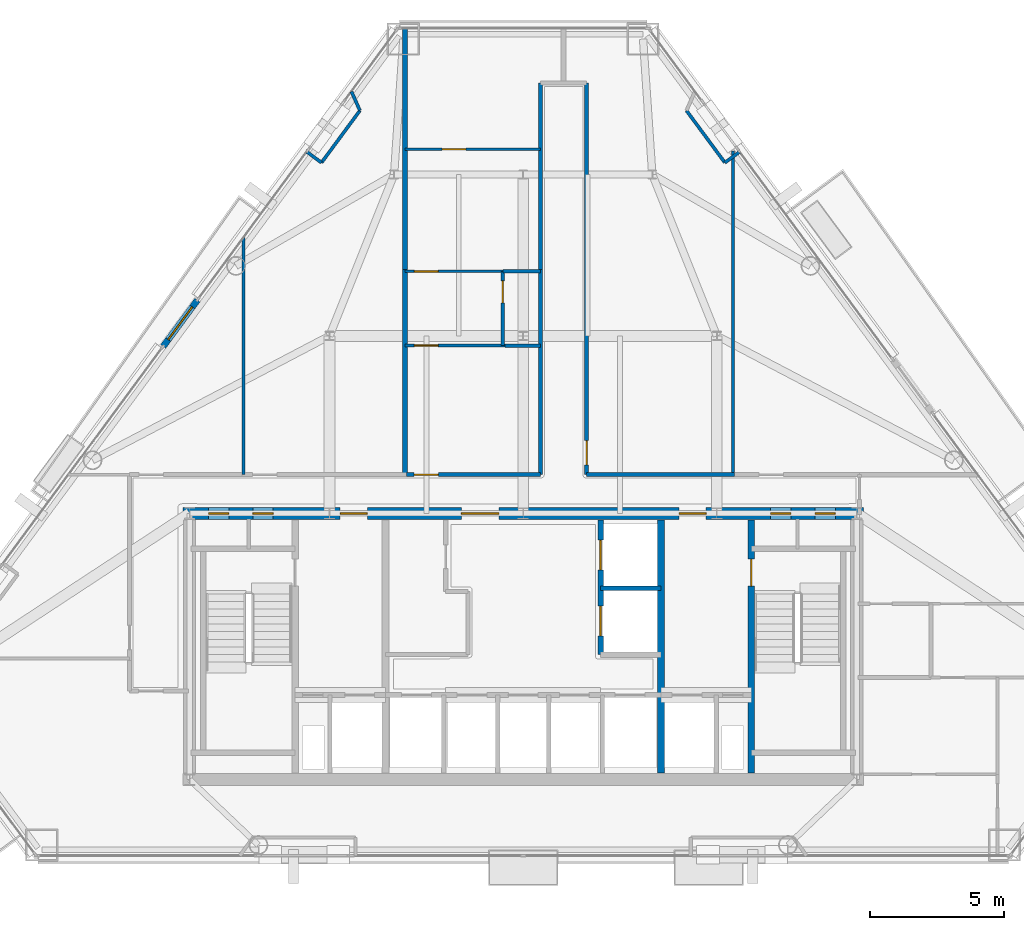
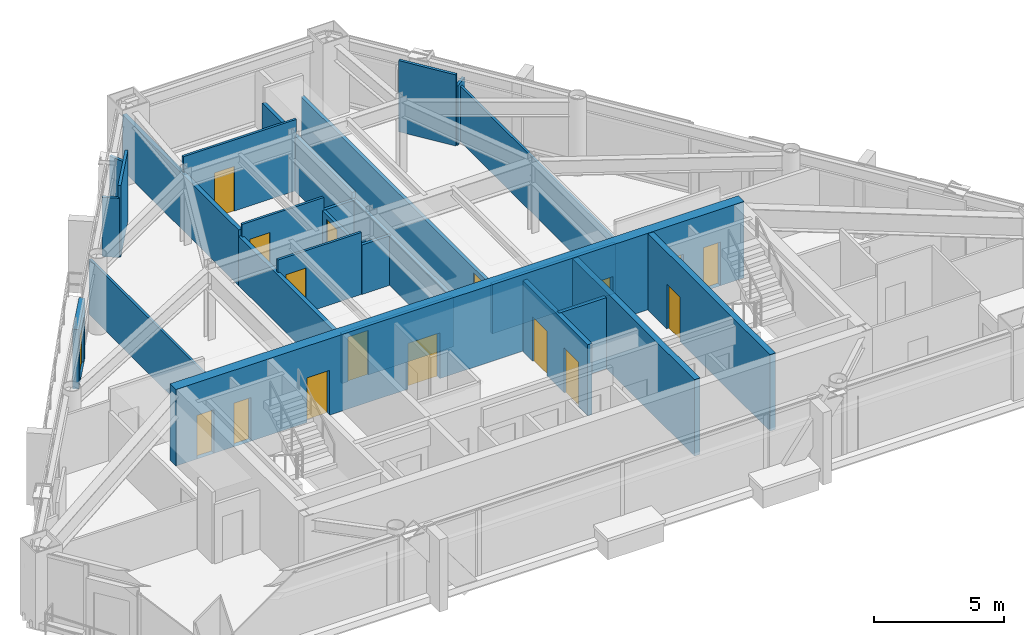
# One storey, part 8 of 11: 26 walls, 17 doors, 17 openings.
"""IFC4 building model written with IfcOpenShell, lengths in metres."""

from ifc_helpers import new_model, si_unit, direction, frame, frame_2d, origin, place, context, subcontext, project, spatial, rectangle, extrude, material, layer, layer_set, type_object, element, fill, save


model = new_model("IFC4")

# Units and contexts
model_context = context("Model", 3, precision=1e-05, world=origin(), true_north=direction((0.0, 1.0)))
body_context = subcontext(model_context, "Body", "Model", "MODEL_VIEW")
ifc_project = project(units=[si_unit("LENGTHUNIT", "METRE"), si_unit("AREAUNIT", "SQUARE_METRE"), si_unit("VOLUMEUNIT", "CUBIC_METRE"), si_unit("PLANEANGLEUNIT", "RADIAN"), si_unit("MASSUNIT", "GRAM", prefix="KILO")], contexts=[model_context])

# Site, building, storey
site_placement = place(None, origin())
site = spatial("IfcSite", under=ifc_project, at=site_placement, CompositionType="ELEMENT")
building_placement = place(site_placement, origin())
building = spatial("IfcBuilding", under=site, at=building_placement, Name="Talgorran Terracotta Tower", CompositionType="ELEMENT")
storey_placement = place(building_placement, frame((0.0, 0.0, 158.10009765625)))
storey = spatial("IfcBuildingStorey", under=building, at=storey_placement, Name="L41", CompositionType="ELEMENT", Elevation=158.10009765625)

# Wall, opening, door
ifc_material_1 = material(Name="Concrete C40/50", Category="concrete")
ifc_layer_1 = layer(ifc_material_1, 0.239990234375, Name="WT_BALCONY_SPAND")
ifc_layer_set_1 = layer_set([ifc_layer_1], Name="Concrete C40/50")
wall_type_1 = type_object("IfcWallType", Name="WT_BALCONY_SPAND", PredefinedType="STANDARD", material=ifc_layer_set_1)
wall_1_placement = place(storey_placement, frame((-12.114990234375, 3.731201171875, -0.01513671875), z_axis=(0.0, 0.0, 1.0), x_axis=(-0.593794270714, -0.804616905158, 0.0)))
wall_1 = element("IfcWall", 1, at=wall_1_placement, inside=storey, type_object=wall_type_1, Name="WL-L41-BALP-BAL-NW", PredefinedType="STANDARD", context=body_context, shape_type="SweptSolid", body=[
    extrude(rectangle(XDim=2.14013671875, YDim=0.239990234375, at=frame_2d((1.070068359375, 0.0))), origin(), (0.0, 0.0, 1.0), 2.80712890625),
])
opening_1_placement = place(wall_1_placement, frame((0.320068359375, 0.0, 0.014892578125)))
opening_1 = element("IfcOpeningElement", 2, at=opening_1_placement, cuts=wall_1, Name="Opening D-BAL-L41-2", PredefinedType="OPENING", context=body_context, shape_type="SweptSolid", body=[
    extrude(rectangle(XDim=1.506, YDim=2.203951171875, at=frame_2d((0.75, 1.10205078125))), frame((0.0, 0.1298828125, 0.0), z_axis=(0.0, -1.0, 0.0), x_axis=(1.0, 0.0, 0.0)), (0.0, 0.0, 1.0), 0.260009765625),
])
ifc_material_2 = material(Name="Thermally Broken Aluminium", Category="aluminium")
door_type_1 = type_object("IfcDoorType", Name="DT_BALC_1500", OperationType="SLIDING_TO_RIGHT", PredefinedType="DOOR", material=ifc_material_2)
door_1_placement = place(opening_1_placement, origin())
door_1 = element("IfcDoor", 3, at=door_1_placement, inside=storey, type_object=door_type_1, Name="DR-L41-BAL-BAL-NW", OperationType="SLIDING_TO_RIGHT", OverallHeight=2.199951171875, OverallWidth=1.5, PredefinedType="DOOR", context=body_context, shape_type="SweptSolid", body=[
    extrude(rectangle(XDim=1.5, YDim=2.199951171875, at=frame_2d((0.75, 1.10009765625))), frame((0.0, 0.02490234375, 0.0), z_axis=(0.0, -1.0, 0.0), x_axis=(1.0, 0.0, 0.0)), (0.0, 0.0, 1.0), 0.050048828125),
])
fill(opening_1, door_1)

# Wall, openings, doors
ifc_material_3 = material(Name="Concrete C50/60", Category="concrete")
ifc_layer_2 = layer(ifc_material_3, 0.199951171875, Name="WT_CORE_200")
ifc_layer_set_2 = layer_set([ifc_layer_2], Name="Concrete C50/60")
wall_type_2 = type_object("IfcWallType", Name="WT_CORE_200", PredefinedType="SOLIDWALL", material=ifc_layer_set_2)
wall_2_placement = place(storey_placement, frame((2.8798828125, -9.449951171875, 0.0), z_axis=(0.0, 0.0, 1.0), x_axis=(0.0, 1.0, 0.0)))
wall_2 = element("IfcWall", 4, at=wall_2_placement, inside=storey, type_object=wall_type_2, Name="WL-L41-CW-V-E3", PredefinedType="SOLIDWALL", context=body_context, shape_type="SweptSolid", body=[
    extrude(rectangle(XDim=5.0, YDim=0.199951171875, at=frame_2d((2.5, 0.0))), origin(), (0.0, 0.0, 1.0), 3.349853515625),
])
opening_2_placement = place(wall_2_placement, frame((0.699951171875, 0.0, 0.0)))
opening_2 = element("IfcOpeningElement", 5, at=opening_2_placement, cuts=wall_2, Name="Opening LD-PLM1", PredefinedType="OPENING", context=body_context, shape_type="SweptSolid", body=[
    extrude(rectangle(XDim=1.10609765625, YDim=2.10409765625, at=frame_2d((0.550048828125, 1.052001953125))), frame((0.0, 0.10986328125, 0.0), z_axis=(0.0, -1.0, 0.0), x_axis=(1.0, 0.0, 0.0)), (0.0, 0.0, 1.0), 0.219970703125),
])
opening_3_placement = place(wall_2_placement, frame((3.14990234375, 0.0, 0.0)))
opening_3 = element("IfcOpeningElement", 6, at=opening_3_placement, cuts=wall_2, Name="Opening LD-PLM2", PredefinedType="OPENING", context=body_context, shape_type="SweptSolid", body=[
    extrude(rectangle(XDim=1.10609765625, YDim=2.10409765625, at=frame_2d((0.550048828125, 1.052001953125))), frame((0.0, 0.10986328125, 0.0), z_axis=(0.0, -1.0, 0.0), x_axis=(1.0, 0.0, 0.0)), (0.0, 0.0, 1.0), 0.219970703125),
])
ifc_material_4 = material(Name="Brushed Stainless Steel Grade 304", Category="steel")
door_type_2 = type_object("IfcDoorType", Name="DT_LIFT_LD1100", OperationType="DOUBLE_DOOR_SLIDING", PredefinedType="DOOR", material=ifc_material_4)
door_2_placement = place(opening_2_placement, origin())
door_2 = element("IfcDoor", 7, at=door_2_placement, inside=storey, type_object=door_type_2, Name="L41 Lift Landing Door LD-PLM1", OperationType="DOUBLE_DOOR_SLIDING", OverallHeight=2.10009765625, OverallWidth=1.10009765625, PredefinedType="DOOR", context=body_context, shape_type="SweptSolid", body=[
    extrude(rectangle(XDim=1.10009765625, YDim=2.10009765625, at=frame_2d((0.550048828125, 1.050048828125))), frame((0.0, 0.02490234375, 0.0), z_axis=(0.0, -1.0, 0.0), x_axis=(1.0, 0.0, 0.0)), (0.0, 0.0, 1.0), 0.050048828125),
])
fill(opening_2, door_2)
door_3_placement = place(opening_3_placement, origin())
door_3 = element("IfcDoor", 8, at=door_3_placement, inside=storey, type_object=door_type_2, Name="L41 Lift Landing Door LD-PLM2", OperationType="DOUBLE_DOOR_SLIDING", OverallHeight=2.10009765625, OverallWidth=1.10009765625, PredefinedType="DOOR", context=body_context, shape_type="SweptSolid", body=[
    extrude(rectangle(XDim=1.10009765625, YDim=2.10009765625, at=frame_2d((0.550048828125, 1.050048828125))), frame((0.0, 0.02490234375, 0.0), z_axis=(0.0, -1.0, 0.0), x_axis=(1.0, 0.0, 0.0)), (0.0, 0.0, 1.0), 0.050048828125),
])
fill(opening_3, door_3)

# Wall, opening, door
ifc_layer_3 = layer(ifc_material_3, 0.25, Name="WT_CORE_250")
ifc_layer_set_3 = layer_set([ifc_layer_3], Name="Concrete C50/60")
wall_type_3 = type_object("IfcWallType", Name="WT_CORE_250", PredefinedType="SHEAR", material=ifc_layer_set_3)
wall_3_placement = place(storey_placement, frame((8.47998046875, -13.85009765625, 0.0), z_axis=(0.0, 0.0, 1.0), x_axis=(0.0, 1.0, 0.0)))
wall_3 = element("IfcWall", 9, at=wall_3_placement, inside=storey, type_object=wall_type_3, Name="WL-L41-CW-V-E1", PredefinedType="SHEAR", context=body_context, shape_type="SweptSolid", body=[
    extrude(rectangle(XDim=9.400146484375, YDim=0.25, at=frame_2d((4.7001953125, 0.0))), origin(), (0.0, 0.0, 1.0), 3.599853515625),
])
opening_4_placement = place(wall_3_placement, frame((6.949951171875, 0.0, 0.0)))
opening_4 = element("IfcOpeningElement", 10, at=opening_4_placement, cuts=wall_3, Name="Opening DR-ST02", PredefinedType="OPENING", context=body_context, shape_type="SweptSolid", body=[
    extrude(rectangle(XDim=1.006, YDim=2.10409765625, at=frame_2d((0.5, 1.052001953125))), frame((0.0, 0.135009765625, 0.0), z_axis=(0.0, -1.0, 0.0), x_axis=(1.0, 0.0, 0.0)), (0.0, 0.0, 1.0), 0.27001953125),
])
ifc_material_5 = material(Name="Fire-Rated Pressed Steel", Category="steel")
door_type_3 = type_object("IfcDoorType", Name="DT_FIRE_1000", OperationType="NOTDEFINED", PredefinedType="DOOR", material=ifc_material_5)
door_4_placement = place(opening_4_placement, origin())
door_4 = element("IfcDoor", 11, at=door_4_placement, inside=storey, type_object=door_type_3, Name="DR-ST02", OperationType="SINGLE_SWING_RIGHT", OverallHeight=2.10009765625, OverallWidth=1.0, PredefinedType="DOOR", context=body_context, shape_type="SweptSolid", body=[
    extrude(rectangle(XDim=1.0, YDim=2.10009765625, at=frame_2d((0.5, 1.050048828125))), frame((0.0, 0.02490234375, 0.0), z_axis=(0.0, -1.0, 0.0), x_axis=(1.0, 0.0, 0.0)), (0.0, 0.0, 1.0), 0.050048828125),
])
fill(opening_4, door_4)

# Wall
wall_4_placement = place(storey_placement, frame((5.1201171875, -13.85009765625, 0.0), z_axis=(0.0, 0.0, 1.0), x_axis=(0.0, 1.0, 0.0)))
element("IfcWall", 12, at=wall_4_placement, inside=storey, type_object=wall_type_3, Name="WL-L41-CW-V-E2", PredefinedType="SHEAR", context=body_context, shape_type="SweptSolid", body=[
    extrude(rectangle(XDim=9.400146484375, YDim=0.25, at=frame_2d((4.7001953125, 0.0))), origin(), (0.0, 0.0, 1.0), 3.599853515625),
])

# Wall, openings, doors
ifc_material_6 = material(Name="Concrete C65/80", Category="concrete")
ifc_layer_4 = layer(ifc_material_6, 0.449951171875, Name="WT_CORE_EXT")
ifc_layer_set_4 = layer_set([ifc_layer_4], Name="Concrete C65/80")
wall_type_4 = type_object("IfcWallType", Name="WT_CORE_EXT", PredefinedType="SHEAR", material=ifc_layer_set_4)
wall_5_placement = place(storey_placement, frame((-12.64990234375, -4.199951171875, 0.0), z_axis=(0.0, 0.0, 1.0), x_axis=(1.0, 0.0, 0.0)))
wall_5 = element("IfcWall", 13, at=wall_5_placement, inside=storey, type_object=wall_type_4, Name="WL-L41-CW-OUT-N", PredefinedType="SHEAR", context=body_context, shape_type="SweptSolid", body=[
    extrude(rectangle(XDim=25.2998046875, YDim=0.449951171875, at=frame_2d((12.64990234375, 0.0))), origin(), (0.0, 0.0, 1.0), 3.599853515625),
])
opening_5_placement = place(wall_5_placement, frame((0.949951171875, 0.0, 0.0)))
opening_5 = element("IfcOpeningElement", 14, at=opening_5_placement, cuts=wall_5, Name="Opening DR-CSN1", PredefinedType="OPENING", context=body_context, shape_type="SweptSolid", body=[
    extrude(rectangle(XDim=0.756, YDim=2.054048828125, at=frame_2d((0.375, 1.027099609375))), frame((0.0, 0.23486328125, 0.0), z_axis=(0.0, -1.0, 0.0), x_axis=(1.0, 0.0, 0.0)), (0.0, 0.0, 1.0), 0.469970703125),
])
opening_6_placement = place(wall_5_placement, frame((2.60009765625, 0.0, 0.0)))
opening_6 = element("IfcOpeningElement", 15, at=opening_6_placement, cuts=wall_5, Name="Opening DR-CSN2", PredefinedType="OPENING", context=body_context, shape_type="SweptSolid", body=[
    extrude(rectangle(XDim=0.756, YDim=2.054048828125, at=frame_2d((0.375, 1.027099609375))), frame((0.0, 0.23486328125, 0.0), z_axis=(0.0, -1.0, 0.0), x_axis=(1.0, 0.0, 0.0)), (0.0, 0.0, 1.0), 0.469970703125),
])
opening_7_placement = place(wall_5_placement, frame((21.85009765625, 0.0, 0.0)))
opening_7 = element("IfcOpeningElement", 16, at=opening_7_placement, cuts=wall_5, Name="Opening DR-CSN3", PredefinedType="OPENING", context=body_context, shape_type="SweptSolid", body=[
    extrude(rectangle(XDim=0.756, YDim=2.054048828125, at=frame_2d((0.375, 1.027099609375))), frame((0.0, 0.23486328125, 0.0), z_axis=(0.0, -1.0, 0.0), x_axis=(1.0, 0.0, 0.0)), (0.0, 0.0, 1.0), 0.469970703125),
])
opening_8_placement = place(wall_5_placement, frame((23.5, 0.0, 0.0)))
opening_8 = element("IfcOpeningElement", 17, at=opening_8_placement, cuts=wall_5, Name="Opening DR-CSN4", PredefinedType="OPENING", context=body_context, shape_type="SweptSolid", body=[
    extrude(rectangle(XDim=0.756, YDim=2.054048828125, at=frame_2d((0.375, 1.027099609375))), frame((0.0, 0.23486328125, 0.0), z_axis=(0.0, -1.0, 0.0), x_axis=(1.0, 0.0, 0.0)), (0.0, 0.0, 1.0), 0.469970703125),
])
opening_9_placement = place(wall_5_placement, frame((5.85009765625, 0.0, 0.0)))
opening_9 = element("IfcOpeningElement", 18, at=opening_9_placement, cuts=wall_5, Name="Opening DR-FFLW-N", PredefinedType="OPENING", context=body_context, shape_type="SweptSolid", body=[
    extrude(rectangle(XDim=1.006, YDim=2.10409765625, at=frame_2d((0.5, 1.052001953125))), frame((0.0, 0.23486328125, 0.0), z_axis=(0.0, -1.0, 0.0), x_axis=(1.0, 0.0, 0.0)), (0.0, 0.0, 1.0), 0.469970703125),
])
opening_10_placement = place(wall_5_placement, frame((10.35009765625, 0.0, 0.0)))
opening_10 = element("IfcOpeningElement", 19, at=opening_10_placement, cuts=wall_5, Name="Opening DR-PLL-N", PredefinedType="OPENING", context=body_context, shape_type="SweptSolid", body=[
    extrude(rectangle(XDim=1.40590234375, YDim=2.15390234375, at=frame_2d((0.699951171875, 1.076904296875))), frame((0.0, 0.23486328125, 0.0), z_axis=(0.0, -1.0, 0.0), x_axis=(1.0, 0.0, 0.0)), (0.0, 0.0, 1.0), 0.469970703125),
])
opening_11_placement = place(wall_5_placement, frame((18.449951171875, 0.0, 0.0)))
opening_11 = element("IfcOpeningElement", 20, at=opening_11_placement, cuts=wall_5, Name="Opening DR-FFLE-N", PredefinedType="OPENING", context=body_context, shape_type="SweptSolid", body=[
    extrude(rectangle(XDim=1.006, YDim=2.10409765625, at=frame_2d((0.5, 1.052001953125))), frame((0.0, 0.23486328125, 0.0), z_axis=(0.0, -1.0, 0.0), x_axis=(1.0, 0.0, 0.0)), (0.0, 0.0, 1.0), 0.469970703125),
])
ifc_material_7 = material(Name="Acoustic Glazed Timber", Category="wood")
door_type_4 = type_object("IfcDoorType", Name="DT_DOUBLE_1400", OperationType="DOUBLE_DOOR_SINGLE_SWING", PredefinedType="DOOR", material=ifc_material_7)
door_5_placement = place(opening_10_placement, origin())
door_5 = element("IfcDoor", 21, at=door_5_placement, inside=storey, type_object=door_type_4, Name="DR-PLL-N", OperationType="DOUBLE_DOOR_SINGLE_SWING", OverallHeight=2.14990234375, OverallWidth=1.39990234375, PredefinedType="DOOR", context=body_context, shape_type="SweptSolid", body=[
    extrude(rectangle(XDim=1.39990234375, YDim=2.14990234375, at=frame_2d((0.699951171875, 1.074951171875))), frame((0.0, 0.02490234375, 0.0), z_axis=(0.0, -1.0, 0.0), x_axis=(1.0, 0.0, 0.0)), (0.0, 0.0, 1.0), 0.050048828125),
])
fill(opening_10, door_5)
door_6_placement = place(opening_9_placement, origin())
door_6 = element("IfcDoor", 22, at=door_6_placement, inside=storey, type_object=door_type_3, Name="DR-FFLW-N", OperationType="SINGLE_SWING_LEFT", OverallHeight=2.10009765625, OverallWidth=1.0, PredefinedType="DOOR", context=body_context, shape_type="SweptSolid", body=[
    extrude(rectangle(XDim=1.0, YDim=2.10009765625, at=frame_2d((0.5, 1.050048828125))), frame((0.0, 0.02490234375, 0.0), z_axis=(0.0, -1.0, 0.0), x_axis=(1.0, 0.0, 0.0)), (0.0, 0.0, 1.0), 0.050048828125),
])
fill(opening_9, door_6)
door_7_placement = place(opening_11_placement, origin())
door_7 = element("IfcDoor", 23, at=door_7_placement, inside=storey, type_object=door_type_3, Name="DR-FFLE-N", OperationType="SINGLE_SWING_RIGHT", OverallHeight=2.10009765625, OverallWidth=1.0, PredefinedType="DOOR", context=body_context, shape_type="SweptSolid", body=[
    extrude(rectangle(XDim=1.0, YDim=2.10009765625, at=frame_2d((0.5, 1.050048828125))), frame((0.0, 0.02490234375, 0.0), z_axis=(0.0, -1.0, 0.0), x_axis=(1.0, 0.0, 0.0)), (0.0, 0.0, 1.0), 0.050048828125),
])
fill(opening_11, door_7)
door_type_5 = type_object("IfcDoorType", Name="DT_RISER_750", OperationType="NOTDEFINED", PredefinedType="DOOR", material=ifc_material_5)
door_8_placement = place(opening_5_placement, origin())
door_8 = element("IfcDoor", 24, at=door_8_placement, inside=storey, type_object=door_type_5, Name="DR-CSN1", OperationType="SINGLE_SWING_LEFT", OverallHeight=2.050048828125, OverallWidth=0.75, PredefinedType="DOOR", context=body_context, shape_type="SweptSolid", body=[
    extrude(rectangle(XDim=0.75, YDim=2.050048828125, at=frame_2d((0.375, 1.02490234375))), frame((0.0, 0.02490234375, 0.0), z_axis=(0.0, -1.0, 0.0), x_axis=(1.0, 0.0, 0.0)), (0.0, 0.0, 1.0), 0.050048828125),
])
fill(opening_5, door_8)
door_9_placement = place(opening_6_placement, origin())
door_9 = element("IfcDoor", 25, at=door_9_placement, inside=storey, type_object=door_type_5, Name="DR-CSN2", OperationType="SINGLE_SWING_RIGHT", OverallHeight=2.050048828125, OverallWidth=0.75, PredefinedType="DOOR", context=body_context, shape_type="SweptSolid", body=[
    extrude(rectangle(XDim=0.75, YDim=2.050048828125, at=frame_2d((0.375, 1.02490234375))), frame((0.0, 0.02490234375, 0.0), z_axis=(0.0, -1.0, 0.0), x_axis=(1.0, 0.0, 0.0)), (0.0, 0.0, 1.0), 0.050048828125),
])
fill(opening_6, door_9)
door_10_placement = place(opening_7_placement, origin())
door_10 = element("IfcDoor", 26, at=door_10_placement, inside=storey, type_object=door_type_5, Name="DR-CSN3", OperationType="SINGLE_SWING_LEFT", OverallHeight=2.050048828125, OverallWidth=0.75, PredefinedType="DOOR", context=body_context, shape_type="SweptSolid", body=[
    extrude(rectangle(XDim=0.75, YDim=2.050048828125, at=frame_2d((0.375, 1.02490234375))), frame((0.0, 0.02490234375, 0.0), z_axis=(0.0, -1.0, 0.0), x_axis=(1.0, 0.0, 0.0)), (0.0, 0.0, 1.0), 0.050048828125),
])
fill(opening_7, door_10)
door_11_placement = place(opening_8_placement, origin())
door_11 = element("IfcDoor", 27, at=door_11_placement, inside=storey, type_object=door_type_5, Name="DR-CSN4", OperationType="SINGLE_SWING_RIGHT", OverallHeight=2.050048828125, OverallWidth=0.75, PredefinedType="DOOR", context=body_context, shape_type="SweptSolid", body=[
    extrude(rectangle(XDim=0.75, YDim=2.050048828125, at=frame_2d((0.375, 1.02490234375))), frame((0.0, 0.02490234375, 0.0), z_axis=(0.0, -1.0, 0.0), x_axis=(1.0, 0.0, 0.0)), (0.0, 0.0, 1.0), 0.050048828125),
])
fill(opening_8, door_11)

# Wall, opening, door
ifc_material_8 = material(Name="Fire-Rated Steel Stud Plasterboard", Category="steel")
ifc_layer_5 = layer(ifc_material_8, 0.14990234375, Name="WT_FIRE_150")
ifc_layer_set_5 = layer_set([ifc_layer_5], Name="Fire-Rated Steel Stud Plasterboard")
wall_type_5 = type_object("IfcWallType", Name="WT_FIRE_150", PredefinedType="PARTITIONING", material=ifc_layer_set_5)
wall_6_placement = place(storey_placement, frame((2.360107421875, -2.760009765625, 0.0), z_axis=(0.0, 0.0, 1.0), x_axis=(0.0, 1.0, 0.0)))
wall_6 = element("IfcWall", 28, at=wall_6_placement, inside=storey, type_object=wall_type_5, Name="WL-L41-W-L41-R14", PredefinedType="PARTITIONING", context=body_context, shape_type="SweptSolid", body=[
    extrude(rectangle(XDim=14.56005859375, YDim=0.14990234375, at=frame_2d((7.280029296875, 0.0))), origin(), (0.0, 0.0, 1.0), 2.324951171875),
])
opening_12_placement = place(wall_6_placement, frame((0.359619140625, 0.0, 0.0)))
opening_12 = element("IfcOpeningElement", 29, at=opening_12_placement, cuts=wall_6, Name="Opening DR-L41-R15", PredefinedType="OPENING", context=body_context, shape_type="SweptSolid", body=[
    extrude(rectangle(XDim=0.90590234375, YDim=2.10409765625, at=frame_2d((0.449951171875, 1.052001953125))), frame((0.0, 0.0849609375, 0.0), z_axis=(0.0, -1.0, 0.0), x_axis=(1.0, 0.0, 0.0)), (0.0, 0.0, 1.0), 0.169921875),
])
ifc_material_9 = material(Name="Fire-Rated Timber Core", Category="wood")
door_type_6 = type_object("IfcDoorType", Name="DT_FIRE_900", OperationType="NOTDEFINED", PredefinedType="DOOR", material=ifc_material_9)
door_12_placement = place(opening_12_placement, origin())
door_12 = element("IfcDoor", 30, at=door_12_placement, inside=storey, type_object=door_type_6, Name="DR-L41-R15", OperationType="SINGLE_SWING_LEFT", OverallHeight=2.10009765625, OverallWidth=0.89990234375, PredefinedType="DOOR", context=body_context, shape_type="SweptSolid", body=[
    extrude(rectangle(XDim=0.89990234375, YDim=2.10009765625, at=frame_2d((0.449951171875, 1.050048828125))), frame((0.0, 0.02490234375, 0.0), z_axis=(0.0, -1.0, 0.0), x_axis=(1.0, 0.0, 0.0)), (0.0, 0.0, 1.0), 0.050048828125),
])
fill(opening_12, door_12)

# Wall
wall_7_placement = place(storey_placement, frame((2.360107421875, -2.760009765625, 0.0), z_axis=(0.0, 0.0, 1.0), x_axis=(1.0, 0.0, 0.0)))
element("IfcWall", 31, at=wall_7_placement, inside=storey, type_object=wall_type_5, Name="WL-L41-W-L41-R15", PredefinedType="PARTITIONING", context=body_context, shape_type="SweptSolid", body=[
    extrude(rectangle(XDim=5.5, YDim=0.14990234375, at=frame_2d((2.75, 0.0))), origin(), (0.0, 0.0, 1.0), 2.324951171875),
])

# Wall, opening, door
wall_8_placement = place(storey_placement, frame((-4.337890625, -2.760009765625, 0.0), z_axis=(0.0, 0.0, 1.0), x_axis=(1.0, 0.0, 0.0)))
wall_8 = element("IfcWall", 32, at=wall_8_placement, inside=storey, type_object=wall_type_5, Name="WL-L41-W-L41-R07", PredefinedType="PARTITIONING", context=body_context, shape_type="SweptSolid", body=[
    extrude(rectangle(XDim=4.977783203125, YDim=0.14990234375, at=frame_2d((2.48876953125, 0.0))), origin(), (0.0, 0.0, 1.0), 2.324951171875),
])
opening_13_placement = place(wall_8_placement, frame((0.278076171875, 0.0, 0.0)))
opening_13 = element("IfcOpeningElement", 33, at=opening_13_placement, cuts=wall_8, Name="Opening DR-L41-R10", PredefinedType="OPENING", context=body_context, shape_type="SweptSolid", body=[
    extrude(rectangle(XDim=0.90590234375, YDim=2.10409765625, at=frame_2d((0.449951171875, 1.052001953125))), frame((0.0, 0.0849609375, 0.0), z_axis=(0.0, -1.0, 0.0), x_axis=(1.0, 0.0, 0.0)), (0.0, 0.0, 1.0), 0.169921875),
])
door_13_placement = place(opening_13_placement, origin())
door_13 = element("IfcDoor", 34, at=door_13_placement, inside=storey, type_object=door_type_6, Name="DR-L41-R10", OperationType="SINGLE_SWING_RIGHT", OverallHeight=2.10009765625, OverallWidth=0.89990234375, PredefinedType="DOOR", context=body_context, shape_type="SweptSolid", body=[
    extrude(rectangle(XDim=0.89990234375, YDim=2.10009765625, at=frame_2d((0.449951171875, 1.050048828125))), frame((0.0, 0.02490234375, 0.0), z_axis=(0.0, -1.0, 0.0), x_axis=(1.0, 0.0, 0.0)), (0.0, 0.0, 1.0), 0.050048828125),
])
fill(opening_13, door_13)

# Walls
wall_9_placement = place(storey_placement, frame((0.639892578125, -2.760009765625, 0.0), z_axis=(0.0, 0.0, 1.0), x_axis=(0.0, 1.0, 0.0)))
element("IfcWall", 35, at=wall_9_placement, inside=storey, type_object=wall_type_5, Name="WL-L41-W-L41-R08", PredefinedType="PARTITIONING", context=body_context, shape_type="SweptSolid", body=[
    extrude(rectangle(XDim=7.6201171875, YDim=0.14990234375, at=frame_2d((3.81005859375, 0.0))), origin(), (0.0, 0.0, 1.0), 2.324951171875),
])
wall_10_placement = place(storey_placement, frame((0.639892578125, 4.862060546875, 0.0), z_axis=(0.0, 0.0, 1.0), x_axis=(0.0, 1.0, 0.0)))
element("IfcWall", 36, at=wall_10_placement, inside=storey, type_object=wall_type_5, Name="WL-L41-W-L41-R10", PredefinedType="PARTITIONING", context=body_context, shape_type="SweptSolid", body=[
    extrude(rectangle(XDim=6.93798828125, YDim=0.14990234375, at=frame_2d((3.468994140625, 0.0))), origin(), (0.0, 0.0, 1.0), 2.616943359375),
])
ifc_material_10 = material(Name="Acoustic Stud and Plasterboard")
ifc_layer_6 = layer(ifc_material_10, 0.179931640625, Name="WT_PARTY_200")
ifc_layer_set_6 = layer_set([ifc_layer_6], Name="Acoustic Stud and Plasterboard")
wall_type_6 = type_object("IfcWallType", Name="WT_PARTY_200", PredefinedType="PARTITIONING", material=ifc_layer_set_6)
wall_11_placement = place(storey_placement, frame((-4.39990234375, -2.760009765625, 0.0), z_axis=(0.0, 0.0, 1.0), x_axis=(0.0, 1.0, 0.0)))
element("IfcWall", 37, at=wall_11_placement, inside=storey, type_object=wall_type_6, Name="WL-L41-W-L41-R30", PredefinedType="PARTITIONING", context=body_context, shape_type="SweptSolid", body=[
    extrude(rectangle(XDim=7.6201171875, YDim=0.179931640625, at=frame_2d((3.81005859375, 0.0))), origin(), (0.0, 0.0, 1.0), 2.324951171875),
])
wall_12_placement = place(storey_placement, frame((-4.39990234375, 4.862060546875, 0.0), z_axis=(0.0, 0.0, 1.0), x_axis=(0.0, 1.0, 0.0)))
element("IfcWall", 38, at=wall_12_placement, inside=storey, type_object=wall_type_6, Name="WL-L41-W-L41-R32", PredefinedType="PARTITIONING", context=body_context, shape_type="SweptSolid", body=[
    extrude(rectangle(XDim=8.97265625, YDim=0.179931640625, at=frame_2d((4.486328125, 0.0))), origin(), (0.0, 0.0, 1.0), 2.616943359375),
])
ifc_material_11 = material(Name="Lightweight Steel Stud Partition", Category="steel")
ifc_layer_7 = layer(ifc_material_11, 0.10498046875, Name="WT_PART_110")
ifc_layer_set_7 = layer_set([ifc_layer_7], Name="Lightweight Steel Stud Partition")
wall_type_7 = type_object("IfcWallType", Name="WT_PART_110", PredefinedType="PARTITIONING", material=ifc_layer_set_7)
wall_13_placement = place(storey_placement, frame((7.800048828125, -2.760009765625, 0.0), z_axis=(0.0, 0.0, 1.0), x_axis=(0.0, 1.0, 0.0)))
element("IfcWall", 39, at=wall_13_placement, inside=storey, type_object=wall_type_7, Name="WL-L41-W-L41-R41", PredefinedType="PARTITIONING", context=body_context, shape_type="SweptSolid", body=[
    extrude(rectangle(XDim=12.0400390625, YDim=0.10498046875, at=frame_2d((6.02001953125, 0.0))), origin(), (0.0, 0.0, 1.0), 2.616943359375),
])
wall_14_placement = place(storey_placement, frame((-10.39990234375, -2.760009765625, 0.0), z_axis=(0.0, 0.0, 1.0), x_axis=(0.0, 1.0, 0.0)))
element("IfcWall", 40, at=wall_14_placement, inside=storey, type_object=wall_type_7, Name="WL-L41-W-L41-R29", PredefinedType="PARTITIONING", context=body_context, shape_type="SweptSolid", body=[
    extrude(rectangle(XDim=8.815185546875, YDim=0.10498046875, at=frame_2d((4.40771484375, 0.0))), origin(), (0.0, 0.0, 1.0), 2.616943359375),
])

# Wall, opening, door
wall_15_placement = place(storey_placement, frame((-4.39990234375, 9.340087890625, 0.0), z_axis=(0.0, 0.0, 1.0), x_axis=(1.0, 0.0, 0.0)))
wall_15 = element("IfcWall", 41, at=wall_15_placement, inside=storey, type_object=wall_type_7, Name="WL-L41-W-L41-R39", PredefinedType="PARTITIONING", context=body_context, shape_type="SweptSolid", body=[
    extrude(rectangle(XDim=5.039794921875, YDim=0.10498046875, at=frame_2d((2.52001953125, 0.0))), origin(), (0.0, 0.0, 1.0), 3.349853515625),
])
opening_14_placement = place(wall_15_placement, frame((1.38720703125, 0.0, 0.0)))
opening_14 = element("IfcOpeningElement", 42, at=opening_14_placement, cuts=wall_15, Name="Opening DR-L41-R14", PredefinedType="OPENING", context=body_context, shape_type="SweptSolid", body=[
    extrude(rectangle(XDim=0.8858828125, YDim=2.10409765625, at=frame_2d((0.43994140625, 1.052001953125))), frame((0.0, 0.0625, 0.0), z_axis=(0.0, -1.0, 0.0), x_axis=(1.0, 0.0, 0.0)), (0.0, 0.0, 1.0), 0.125),
])
ifc_material_12 = material(Name="Solid-Core Painted Timber", Category="wood")
door_type_7 = type_object("IfcDoorType", Name="DT_INT_880", OperationType="NOTDEFINED", PredefinedType="DOOR", material=ifc_material_12)
door_14_placement = place(opening_14_placement, origin())
door_14 = element("IfcDoor", 43, at=door_14_placement, inside=storey, type_object=door_type_7, Name="DR-L41-R14", OperationType="SINGLE_SWING_RIGHT", OverallHeight=2.10009765625, OverallWidth=0.8798828125, PredefinedType="DOOR", context=body_context, shape_type="SweptSolid", body=[
    extrude(rectangle(XDim=0.8798828125, YDim=2.10009765625, at=frame_2d((0.43994140625, 1.050048828125))), frame((0.0, 0.02490234375, 0.0), z_axis=(0.0, -1.0, 0.0), x_axis=(1.0, 0.0, 0.0)), (0.0, 0.0, 1.0), 0.050048828125),
])
fill(opening_14, door_14)

wall_16_placement = place(storey_placement, frame((-4.39990234375, 2.0400390625, 0.0), z_axis=(0.0, 0.0, 1.0), x_axis=(1.0, 0.0, 0.0)))
wall_16 = element("IfcWall", 44, at=wall_16_placement, inside=storey, type_object=wall_type_7, Name="WL-L41-W-L41-R35", PredefinedType="PARTITIONING", context=body_context, shape_type="SweptSolid", body=[
    extrude(rectangle(XDim=3.719970703125, YDim=0.10498046875, at=frame_2d((1.85986328125, 0.0))), origin(), (0.0, 0.0, 1.0), 2.91845703125),
])
opening_15_placement = place(wall_16_placement, frame((0.3564453125, 0.0, 0.0)))
opening_15 = element("IfcOpeningElement", 45, at=opening_15_placement, cuts=wall_16, Name="Opening DR-L41-R12", PredefinedType="OPENING", context=body_context, shape_type="SweptSolid", body=[
    extrude(rectangle(XDim=0.8858828125, YDim=2.10409765625, at=frame_2d((0.43994140625, 1.052001953125))), frame((0.0, 0.0625, 0.0), z_axis=(0.0, -1.0, 0.0), x_axis=(1.0, 0.0, 0.0)), (0.0, 0.0, 1.0), 0.125),
])
door_15_placement = place(opening_15_placement, origin())
door_15 = element("IfcDoor", 46, at=door_15_placement, inside=storey, type_object=door_type_7, Name="DR-L41-R12", OperationType="SINGLE_SWING_RIGHT", OverallHeight=2.10009765625, OverallWidth=0.8798828125, PredefinedType="DOOR", context=body_context, shape_type="SweptSolid", body=[
    extrude(rectangle(XDim=0.8798828125, YDim=2.10009765625, at=frame_2d((0.43994140625, 1.050048828125))), frame((0.0, 0.02490234375, 0.0), z_axis=(0.0, -1.0, 0.0), x_axis=(1.0, 0.0, 0.0)), (0.0, 0.0, 1.0), 0.050048828125),
])
fill(opening_15, door_15)

wall_17_placement = place(storey_placement, frame((-4.39990234375, 4.800048828125, 0.0), z_axis=(0.0, 0.0, 1.0), x_axis=(1.0, 0.0, 0.0)))
wall_17 = element("IfcWall", 47, at=wall_17_placement, inside=storey, type_object=wall_type_7, Name="WL-L41-W-L41-R38", PredefinedType="PARTITIONING", context=body_context, shape_type="SweptSolid", body=[
    extrude(rectangle(XDim=3.639892578125, YDim=0.10498046875, at=frame_2d((1.81982421875, 0.0))), origin(), (0.0, 0.0, 1.0), 2.91845703125),
])
opening_16_placement = place(wall_17_placement, frame((0.356201171875, 0.0, 0.0)))
opening_16 = element("IfcOpeningElement", 48, at=opening_16_placement, cuts=wall_17, Name="Opening DR-L41-R13", PredefinedType="OPENING", context=body_context, shape_type="SweptSolid", body=[
    extrude(rectangle(XDim=0.8858828125, YDim=2.10409765625, at=frame_2d((0.43994140625, 1.052001953125))), frame((0.0, 0.0625, 0.0), z_axis=(0.0, -1.0, 0.0), x_axis=(1.0, 0.0, 0.0)), (0.0, 0.0, 1.0), 0.125),
])
door_16_placement = place(opening_16_placement, origin())
door_16 = element("IfcDoor", 49, at=door_16_placement, inside=storey, type_object=door_type_7, Name="DR-L41-R13", OperationType="SINGLE_SWING_LEFT", OverallHeight=2.10009765625, OverallWidth=0.8798828125, PredefinedType="DOOR", context=body_context, shape_type="SweptSolid", body=[
    extrude(rectangle(XDim=0.8798828125, YDim=2.10009765625, at=frame_2d((0.43994140625, 1.050048828125))), frame((0.0, 0.02490234375, 0.0), z_axis=(0.0, -1.0, 0.0), x_axis=(1.0, 0.0, 0.0)), (0.0, 0.0, 1.0), 0.050048828125),
])
fill(opening_16, door_16)

# Walls
ifc_material_13 = material(Name="Insulated Steel Stud Plasterboard", Category="steel")
ifc_layer_8 = layer(ifc_material_13, 0.1201171875, Name="WT_PART_120")
ifc_layer_set_8 = layer_set([ifc_layer_8], Name="Insulated Steel Stud Plasterboard")
wall_type_8 = type_object("IfcWallType", Name="WT_PART_120", PredefinedType="PARTITIONING", material=ifc_layer_set_8)
for number, where, z_axis, x_axis, name in (
    (50, (-6.0712890625, 10.775634765625, 0.0), (0.0, 0.0, 1.0), (-0.593742732842, -0.804654936726, 0.0), "WL-L41-BW-L41-15"),
    (51, (7.498779296875, 8.841064453125, 0.0), (0.0, 0.0, 1.0), (-0.593742732842, 0.804654936726, 0.0), "WL-L41-BW-L41-18"),
):
    element("IfcWall", number, at=place(storey_placement, frame(where, z_axis=z_axis, x_axis=x_axis)), inside=storey, type_object=wall_type_8, Name=name, PredefinedType="PARTITIONING", context=body_context, shape_type="SweptSolid", body=[
        extrude(rectangle(XDim=2.404296875, YDim=0.1201171875, at=frame_2d((1.2021484375, 0.0))), origin(), (0.0, 0.0, 1.0), 3.349853515625),
    ])
wall_18_placement = place(storey_placement, frame((-6.383056640625, 11.4814453125, 0.0), z_axis=(0.0, 0.0, 1.0), x_axis=(0.404053030965, -0.91473556188, 0.0)))
element("IfcWall", 52, at=wall_18_placement, inside=storey, type_object=wall_type_8, Name="WL-L41-BW-L41-14", PredefinedType="PARTITIONING", context=body_context, shape_type="SweptSolid", body=[
    extrude(rectangle(XDim=0.771484375, YDim=0.1201171875, at=frame_2d((0.3857421875, 0.0))), origin(), (0.0, 0.0, 1.0), 2.7919921875),
])
for number, where, z_axis, x_axis, name in (
    (53, (-7.498779296875, 8.841064453125, 0.0), (0.0, 0.0, 1.0), (-0.804652806385, 0.593745619922, 0.0), "WL-L41-BW-L41-16"),
    (54, (8.0380859375, 9.239013671875, 0.0), (0.0, 0.0, 1.0), (-0.804652806385, -0.593745619922, 0.0), "WL-L41-BW-L41-17"),
):
    element("IfcWall", number, at=place(storey_placement, frame(where, z_axis=z_axis, x_axis=x_axis)), inside=storey, type_object=wall_type_8, Name=name, PredefinedType="PARTITIONING", context=body_context, shape_type="SweptSolid", body=[
        extrude(rectangle(XDim=0.670166015625, YDim=0.1201171875, at=frame_2d((0.3349609375, 0.0))), origin(), (0.0, 0.0, 1.0), 2.7919921875),
    ])

# Wall, opening, door
ifc_material_14 = material(Name="Moisture-Resistant Stud Wall")
ifc_layer_9 = layer(ifc_material_14, 0.135009765625, Name="WT_PART_135")
ifc_layer_set_9 = layer_set([ifc_layer_9], Name="Moisture-Resistant Stud Wall")
wall_type_9 = type_object("IfcWallType", Name="WT_PART_135", PredefinedType="PARTITIONING", material=ifc_layer_set_9)
wall_19_placement = place(storey_placement, frame((-0.760009765625, 2.0400390625, 0.0), z_axis=(0.0, 0.0, 1.0), x_axis=(0.0, 1.0, 0.0)))
wall_19 = element("IfcWall", 55, at=wall_19_placement, inside=storey, type_object=wall_type_9, Name="WL-L41-W-L41-R36", PredefinedType="PARTITIONING", context=body_context, shape_type="SweptSolid", body=[
    extrude(rectangle(XDim=2.760009765625, YDim=0.135009765625, at=frame_2d((1.3798828125, 0.0))), origin(), (0.0, 0.0, 1.0), 2.324951171875),
])
opening_17_placement = place(wall_19_placement, frame((1.582763671875, 0.0, 0.0)))
opening_17 = element("IfcOpeningElement", 56, at=opening_17_placement, cuts=wall_19, Name="Opening DR-L41-R11", PredefinedType="OPENING", context=body_context, shape_type="SweptSolid", body=[
    extrude(rectangle(XDim=0.826068359375, YDim=2.10409765625, at=frame_2d((0.41015625, 1.052001953125))), frame((0.0, 0.07763671875, 0.0), z_axis=(0.0, -1.0, 0.0), x_axis=(1.0, 0.0, 0.0)), (0.0, 0.0, 1.0), 0.155029296875),
])
ifc_material_15 = material(Name="Moisture-Resistant Solid Timber", Category="wood")
door_type_8 = type_object("IfcDoorType", Name="DT_INT_820", OperationType="NOTDEFINED", PredefinedType="DOOR", material=ifc_material_15)
door_17_placement = place(opening_17_placement, origin())
door_17 = element("IfcDoor", 57, at=door_17_placement, inside=storey, type_object=door_type_8, Name="DR-L41-R11", OperationType="SINGLE_SWING_LEFT", OverallHeight=2.10009765625, OverallWidth=0.820068359375, PredefinedType="DOOR", context=body_context, shape_type="SweptSolid", body=[
    extrude(rectangle(XDim=0.820068359375, YDim=2.10009765625, at=frame_2d((0.41015625, 1.050048828125))), frame((0.0, 0.02490234375, 0.0), z_axis=(0.0, -1.0, 0.0), x_axis=(1.0, 0.0, 0.0)), (0.0, 0.0, 1.0), 0.050048828125),
])
fill(opening_17, door_17)

# Walls
wall_20_placement = place(storey_placement, frame((-0.677978515625, 2.0400390625, 0.0), z_axis=(0.0, 0.0, 1.0), x_axis=(1.0, 0.0, 0.0)))
element("IfcWall", 58, at=wall_20_placement, inside=storey, type_object=wall_type_9, Name="WL-L41-W-L41-R34", PredefinedType="PARTITIONING", context=body_context, shape_type="SweptSolid", body=[
    extrude(rectangle(XDim=1.31787109375, YDim=0.135009765625, at=frame_2d((0.658935546875, 0.0))), origin(), (0.0, 0.0, 1.0), 2.324951171875),
])
wall_21_placement = place(storey_placement, frame((-0.760009765625, 4.800048828125, 0.0), z_axis=(0.0, 0.0, 1.0), x_axis=(1.0, 0.0, 0.0)))
element("IfcWall", 59, at=wall_21_placement, inside=storey, type_object=wall_type_9, Name="WL-L41-W-L41-R37", PredefinedType="PARTITIONING", context=body_context, shape_type="SweptSolid", body=[
    extrude(rectangle(XDim=1.39990234375, YDim=0.135009765625, at=frame_2d((0.699951171875, 0.0))), origin(), (0.0, 0.0, 1.0), 2.324951171875),
])
ifc_material_16 = material(Name="Fire-Rated Shaftwall")
ifc_layer_10 = layer(ifc_material_16, 0.159912109375, Name="WT_PART_150")
ifc_layer_set_10 = layer_set([ifc_layer_10], Name="Fire-Rated Shaftwall")
wall_type_10 = type_object("IfcWallType", Name="WT_PART_150", PredefinedType="PARTITIONING", material=ifc_layer_set_10)
wall_22_placement = place(storey_placement, frame((2.8798828125, -6.97998046875, 0.0), z_axis=(0.0, 0.0, 1.0), x_axis=(1.0, 0.0, 0.0)))
element("IfcWall", 60, at=wall_22_placement, inside=storey, type_object=wall_type_10, Name="WL-L41-CW-PLM-DIV", PredefinedType="PARTITIONING", context=body_context, shape_type="SweptSolid", body=[
    extrude(rectangle(XDim=2.240234375, YDim=0.159912109375, at=frame_2d((1.1201171875, 0.0))), origin(), (0.0, 0.0, 1.0), 3.349853515625),
])

save(model, "model.ifc")
